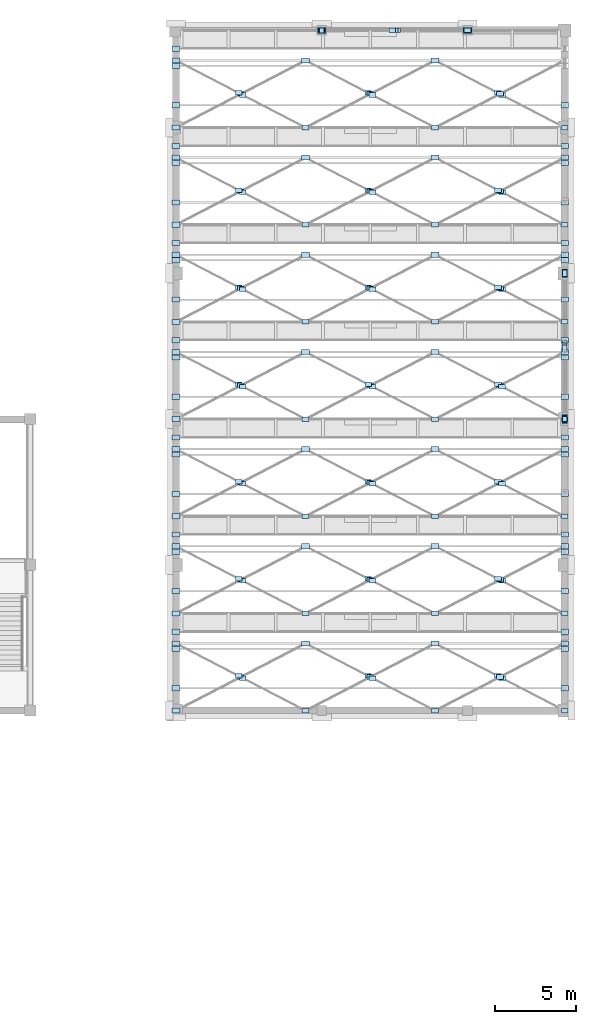
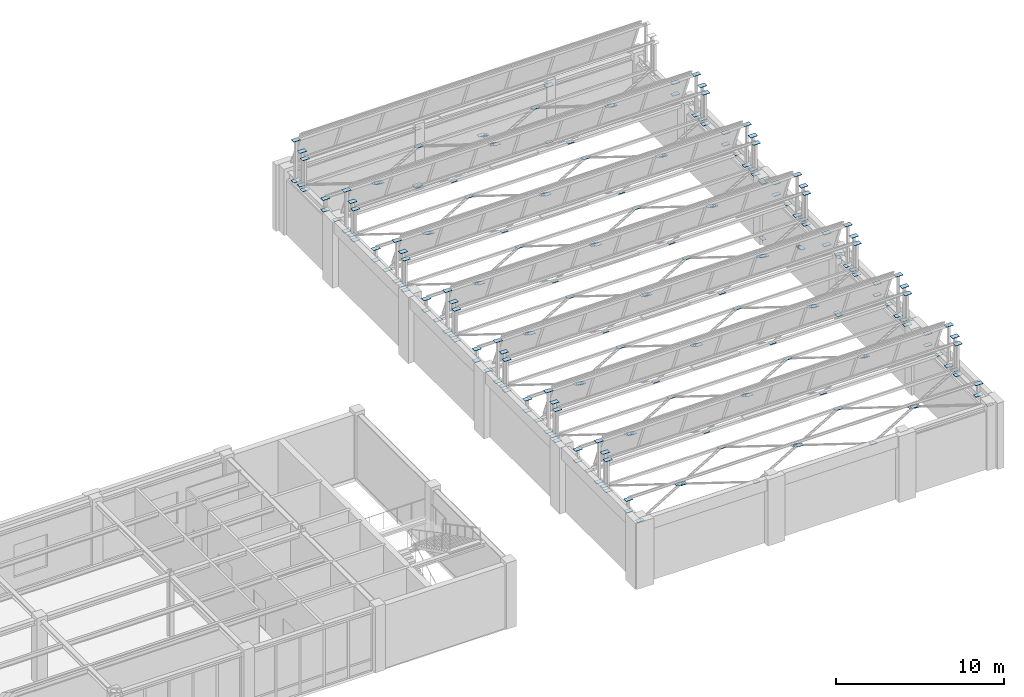
# One storey, part 77 of 98: 227 plates.
"""IFC4 building model written with IfcOpenShell, lengths in metres."""

from ifc_helpers import new_model, si_unit, direction, frame, origin, origin_2d, place, context, subcontext, project, spatial, rectangle, extrude, material, layer, layer_set, type_object, element, save


model = new_model("IFC4")

# Units and contexts
model_context = context("Model", 3, precision=1e-05, world=origin(), true_north=direction((0.0, 1.0)))
body_context = subcontext(model_context, "Body", "Model", "MODEL_VIEW")
ifc_project = project(units=[si_unit("LENGTHUNIT", "METRE"), si_unit("AREAUNIT", "SQUARE_METRE"), si_unit("VOLUMEUNIT", "CUBIC_METRE"), si_unit("PLANEANGLEUNIT", "RADIAN"), si_unit("MASSUNIT", "GRAM", prefix="KILO")], contexts=[model_context])

# Site, building, storey
site_placement = place(None, origin())
site = spatial("IfcSite", under=ifc_project, at=site_placement, CompositionType="ELEMENT")
building_placement = place(site_placement, origin())
building = spatial("IfcBuilding", under=site, at=building_placement, Name="Lykobir Media Centre", CompositionType="ELEMENT")
storey_placement = place(building_placement, frame((0.0, 0.0, 10.199951171875)))
storey = spatial("IfcBuildingStorey", under=building, at=storey_placement, Name="L02", CompositionType="ELEMENT", Elevation=10.199951171875)

# Plates
ifc_material = material(Name="Steel S355", Category="steel")
ifc_layer_1 = layer(ifc_material, 0.01611328125, Name="Steel S355")
ifc_layer_set_1 = layer_set([ifc_layer_1], Name="Steel S355")
plate_type_1 = type_object("IfcPlateType", Name="CP-280", PredefinedType="SHEET", material=ifc_layer_set_1)
for number, where, z_axis, x_axis, name in (
    (1, (168.0, 90.0, 0.001953125), (0.0, 0.0, 1.0), (0.0, 1.0, 0.0), "Structural plate PLT-L02-1680-0900-0102"),
    (2, (153.0, 114.0, 0.001953125), (0.0, 0.0, 1.0), (1.0, 0.0, 0.0), "Structural plate PLT-L02-1530-1140-0102"),
):
    element("IfcPlate", number, at=place(storey_placement, frame(where, z_axis=z_axis, x_axis=x_axis)), inside=storey, type_object=plate_type_1, Name=name, PredefinedType="SHEET", context=body_context, shape_type="SweptSolid", body=[
        extrude(rectangle(XDim=0.300048828125, YDim=0.300048828125, at=origin_2d()), origin(), (0.0, 0.0, 1.0), 0.01611328125),
    ])
ifc_layer_2 = layer(ifc_material, 0.02001953125, Name="Steel S355")
ifc_layer_set_2 = layer_set([ifc_layer_2], Name="Steel S355")
plate_type_2 = type_object("IfcPlateType", Name="GP-420", PredefinedType="USERDEFINED", material=ifc_layer_set_2)
for number, where, z_axis, x_axis, name in (
    (3, (148.0, 74.072509765625, 4.429931640625), (0.0, 0.0, 1.0), (1.0, 0.0, 0.0), "Structural plate PLT-L02-1480-0741-0146"),
    (4, (152.0, 72.0, 4.429931640625), (0.0, 0.0, 1.0), (1.0, 0.0, 0.0), "Structural plate PLT-L02-1520-0720-0146"),
    (5, (148.124267578125, 74.00830078125, 4.429931640625), (0.0, 0.0, 1.0), (1.0, 0.0, 0.0), "Structural plate PLT-L02-1481-0740-0146"),
    (6, (147.875732421875, 74.136962890625, 4.429931640625), (0.0, 0.0, 1.0), (1.0, 0.0, 0.0), "Structural plate PLT-L02-1479-0741-0146"),
    (7, (156.0, 74.072509765625, 4.429931640625), (0.0, 0.0, 1.0), (1.0, 0.0, 0.0), "Structural plate PLT-L02-1560-0741-0146"),
    (8, (160.0, 72.0, 4.429931640625), (0.0, 0.0, 1.0), (1.0, 0.0, 0.0), "Structural plate PLT-L02-1600-0720-0146"),
    (9, (156.124267578125, 74.00830078125, 4.429931640625), (0.0, 0.0, 1.0), (1.0, 0.0, 0.0), "Structural plate PLT-L02-1561-0740-0146"),
    (10, (155.875732421875, 74.136962890625, 4.429931640625), (0.0, 0.0, 1.0), (1.0, 0.0, 0.0), "Structural plate PLT-L02-1559-0741-0146"),
    (11, (164.0, 74.072509765625, 4.429931640625), (0.0, 0.0, 1.0), (1.0, 0.0, 0.0), "Structural plate PLT-L02-1640-0741-0146"),
    (12, (168.0, 72.0, 4.429931640625), (0.0, 0.0, 1.0), (1.0, 0.0, 0.0), "Structural plate PLT-L02-1680-0720-0146"),
    (13, (164.124267578125, 74.00830078125, 4.429931640625), (0.0, 0.0, 1.0), (1.0, 0.0, 0.0), "Structural plate PLT-L02-1641-0740-0146"),
    (14, (163.875732421875, 74.136962890625, 4.429931640625), (0.0, 0.0, 1.0), (1.0, 0.0, 0.0), "Structural plate PLT-L02-1639-0741-0146"),
    (15, (168.0, 78.0, 4.429931640625), (0.0, 0.0, 1.0), (1.0, 0.0, 0.0), "Structural plate PLT-L02-1680-0780-0146"),
    (16, (148.0, 80.072509765625, 4.429931640625), (0.0, 0.0, 1.0), (1.0, 0.0, 0.0), "Structural plate PLT-L02-1480-0801-0146"),
    (17, (152.0, 78.0, 4.429931640625), (0.0, 0.0, 1.0), (1.0, 0.0, 0.0), "Structural plate PLT-L02-1520-0780-0146"),
    (18, (148.124267578125, 80.00830078125, 4.429931640625), (0.0, 0.0, 1.0), (1.0, 0.0, 0.0), "Structural plate PLT-L02-1481-0800-0146"),
    (19, (147.875732421875, 80.136962890625, 4.429931640625), (0.0, 0.0, 1.0), (1.0, 0.0, 0.0), "Structural plate PLT-L02-1479-0801-0146"),
    (20, (156.0, 80.072509765625, 4.429931640625), (0.0, 0.0, 1.0), (1.0, 0.0, 0.0), "Structural plate PLT-L02-1560-0801-0146"),
    (21, (160.0, 78.0, 4.429931640625), (0.0, 0.0, 1.0), (1.0, 0.0, 0.0), "Structural plate PLT-L02-1600-0780-0146"),
    (22, (156.124267578125, 80.00830078125, 4.429931640625), (0.0, 0.0, 1.0), (1.0, 0.0, 0.0), "Structural plate PLT-L02-1561-0800-0146"),
    (23, (155.875732421875, 80.136962890625, 4.429931640625), (0.0, 0.0, 1.0), (1.0, 0.0, 0.0), "Structural plate PLT-L02-1559-0801-0146"),
    (24, (164.0, 80.072509765625, 4.429931640625), (0.0, 0.0, 1.0), (1.0, 0.0, 0.0), "Structural plate PLT-L02-1640-0801-0146"),
    (25, (164.124267578125, 80.00830078125, 4.429931640625), (0.0, 0.0, 1.0), (1.0, 0.0, 0.0), "Structural plate PLT-L02-1641-0800-0146"),
    (26, (163.875732421875, 80.136962890625, 4.429931640625), (0.0, 0.0, 1.0), (1.0, 0.0, 0.0), "Structural plate PLT-L02-1639-0801-0146"),
    (27, (168.0, 84.0, 4.429931640625), (0.0, 0.0, 1.0), (1.0, 0.0, 0.0), "Structural plate PLT-L02-1680-0840-0146"),
    (28, (148.0, 86.072509765625, 4.429931640625), (0.0, 0.0, 1.0), (1.0, 0.0, 0.0), "Structural plate PLT-L02-1480-0861-0146"),
    (29, (152.0, 84.0, 4.429931640625), (0.0, 0.0, 1.0), (1.0, 0.0, 0.0), "Structural plate PLT-L02-1520-0840-0146"),
    (30, (148.124267578125, 86.00830078125, 4.429931640625), (0.0, 0.0, 1.0), (1.0, 0.0, 0.0), "Structural plate PLT-L02-1481-0860-0146"),
    (31, (147.875732421875, 86.136962890625, 4.429931640625), (0.0, 0.0, 1.0), (1.0, 0.0, 0.0), "Structural plate PLT-L02-1479-0861-0146"),
    (32, (156.0, 86.072509765625, 4.429931640625), (0.0, 0.0, 1.0), (1.0, 0.0, 0.0), "Structural plate PLT-L02-1560-0861-0146"),
    (33, (160.0, 84.0, 4.429931640625), (0.0, 0.0, 1.0), (1.0, 0.0, 0.0), "Structural plate PLT-L02-1600-0840-0146"),
    (34, (156.124267578125, 86.00830078125, 4.429931640625), (0.0, 0.0, 1.0), (1.0, 0.0, 0.0), "Structural plate PLT-L02-1561-0860-0146"),
    (35, (155.875732421875, 86.136962890625, 4.429931640625), (0.0, 0.0, 1.0), (1.0, 0.0, 0.0), "Structural plate PLT-L02-1559-0861-0146"),
    (36, (164.0, 86.072509765625, 4.429931640625), (0.0, 0.0, 1.0), (1.0, 0.0, 0.0), "Structural plate PLT-L02-1640-0861-0146"),
    (37, (164.124267578125, 86.00830078125, 4.429931640625), (0.0, 0.0, 1.0), (1.0, 0.0, 0.0), "Structural plate PLT-L02-1641-0860-0146"),
    (38, (163.875732421875, 86.136962890625, 4.429931640625), (0.0, 0.0, 1.0), (1.0, 0.0, 0.0), "Structural plate PLT-L02-1639-0861-0146"),
    (39, (168.0, 90.0, 4.429931640625), (0.0, 0.0, 1.0), (1.0, 0.0, 0.0), "Structural plate PLT-L02-1680-0900-0146"),
    (40, (148.0, 92.072509765625, 4.429931640625), (0.0, 0.0, 1.0), (1.0, 0.0, 0.0), "Structural plate PLT-L02-1480-0921-0146"),
    (41, (152.0, 90.0, 4.429931640625), (0.0, 0.0, 1.0), (1.0, 0.0, 0.0), "Structural plate PLT-L02-1520-0900-0146"),
    (42, (148.124267578125, 92.00830078125, 4.429931640625), (0.0, 0.0, 1.0), (1.0, 0.0, 0.0), "Structural plate PLT-L02-1481-0920-0146"),
    (43, (147.875732421875, 92.136962890625, 4.429931640625), (0.0, 0.0, 1.0), (1.0, 0.0, 0.0), "Structural plate PLT-L02-1479-0921-0146"),
    (44, (156.0, 92.072509765625, 4.429931640625), (0.0, 0.0, 1.0), (1.0, 0.0, 0.0), "Structural plate PLT-L02-1560-0921-0146"),
    (45, (160.0, 90.0, 4.429931640625), (0.0, 0.0, 1.0), (1.0, 0.0, 0.0), "Structural plate PLT-L02-1600-0900-0146"),
    (46, (156.124267578125, 92.00830078125, 4.429931640625), (0.0, 0.0, 1.0), (1.0, 0.0, 0.0), "Structural plate PLT-L02-1561-0920-0146"),
    (47, (155.875732421875, 92.136962890625, 4.429931640625), (0.0, 0.0, 1.0), (1.0, 0.0, 0.0), "Structural plate PLT-L02-1559-0921-0146"),
    (48, (164.0, 92.072509765625, 4.429931640625), (0.0, 0.0, 1.0), (1.0, 0.0, 0.0), "Structural plate PLT-L02-1640-0921-0146"),
    (49, (164.124267578125, 92.00830078125, 4.429931640625), (0.0, 0.0, 1.0), (1.0, 0.0, 0.0), "Structural plate PLT-L02-1641-0920-0146"),
    (50, (163.875732421875, 92.136962890625, 4.429931640625), (0.0, 0.0, 1.0), (1.0, 0.0, 0.0), "Structural plate PLT-L02-1639-0921-0146"),
    (51, (168.0, 96.0, 4.429931640625), (0.0, 0.0, 1.0), (1.0, 0.0, 0.0), "Structural plate PLT-L02-1680-0960-0146"),
    (52, (148.0, 98.072509765625, 4.429931640625), (0.0, 0.0, 1.0), (1.0, 0.0, 0.0), "Structural plate PLT-L02-1480-0981-0146"),
    (53, (152.0, 96.0, 4.429931640625), (0.0, 0.0, 1.0), (1.0, 0.0, 0.0), "Structural plate PLT-L02-1520-0960-0146"),
    (54, (148.124267578125, 98.00830078125, 4.429931640625), (0.0, 0.0, 1.0), (1.0, 0.0, 0.0), "Structural plate PLT-L02-1481-0980-0146"),
    (55, (147.875732421875, 98.136962890625, 4.429931640625), (0.0, 0.0, 1.0), (1.0, 0.0, 0.0), "Structural plate PLT-L02-1479-0981-0146"),
    (56, (156.0, 98.072509765625, 4.429931640625), (0.0, 0.0, 1.0), (1.0, 0.0, 0.0), "Structural plate PLT-L02-1560-0981-0146"),
    (57, (160.0, 96.0, 4.429931640625), (0.0, 0.0, 1.0), (1.0, 0.0, 0.0), "Structural plate PLT-L02-1600-0960-0146"),
    (58, (156.124267578125, 98.00830078125, 4.429931640625), (0.0, 0.0, 1.0), (1.0, 0.0, 0.0), "Structural plate PLT-L02-1561-0980-0146"),
    (59, (155.875732421875, 98.136962890625, 4.429931640625), (0.0, 0.0, 1.0), (1.0, 0.0, 0.0), "Structural plate PLT-L02-1559-0981-0146"),
    (60, (164.0, 98.072509765625, 4.429931640625), (0.0, 0.0, 1.0), (1.0, 0.0, 0.0), "Structural plate PLT-L02-1640-0981-0146"),
    (61, (164.124267578125, 98.00830078125, 4.429931640625), (0.0, 0.0, 1.0), (1.0, 0.0, 0.0), "Structural plate PLT-L02-1641-0980-0146"),
    (62, (163.875732421875, 98.136962890625, 4.429931640625), (0.0, 0.0, 1.0), (1.0, 0.0, 0.0), "Structural plate PLT-L02-1639-0981-0146"),
    (63, (168.0, 102.0, 4.429931640625), (0.0, 0.0, 1.0), (1.0, 0.0, 0.0), "Structural plate PLT-L02-1680-1020-0146"),
    (64, (148.0, 104.072509765625, 4.429931640625), (0.0, 0.0, 1.0), (1.0, 0.0, 0.0), "Structural plate PLT-L02-1480-1041-0146"),
    (65, (152.0, 102.0, 4.429931640625), (0.0, 0.0, 1.0), (1.0, 0.0, 0.0), "Structural plate PLT-L02-1520-1020-0146"),
    (66, (148.124267578125, 104.00830078125, 4.429931640625), (0.0, 0.0, 1.0), (1.0, 0.0, 0.0), "Structural plate PLT-L02-1481-1040-0146"),
    (67, (147.875732421875, 104.136962890625, 4.429931640625), (0.0, 0.0, 1.0), (1.0, 0.0, 0.0), "Structural plate PLT-L02-1479-1041-0146"),
    (68, (156.0, 104.072509765625, 4.429931640625), (0.0, 0.0, 1.0), (1.0, 0.0, 0.0), "Structural plate PLT-L02-1560-1041-0146"),
    (69, (160.0, 102.0, 4.429931640625), (0.0, 0.0, 1.0), (1.0, 0.0, 0.0), "Structural plate PLT-L02-1600-1020-0146"),
    (70, (156.124267578125, 104.00830078125, 4.429931640625), (0.0, 0.0, 1.0), (1.0, 0.0, 0.0), "Structural plate PLT-L02-1561-1040-0146"),
    (71, (155.875732421875, 104.136962890625, 4.429931640625), (0.0, 0.0, 1.0), (1.0, 0.0, 0.0), "Structural plate PLT-L02-1559-1041-0146"),
    (72, (164.0, 104.072509765625, 4.429931640625), (0.0, 0.0, 1.0), (1.0, 0.0, 0.0), "Structural plate PLT-L02-1640-1041-0146"),
    (73, (164.124267578125, 104.00830078125, 4.429931640625), (0.0, 0.0, 1.0), (1.0, 0.0, 0.0), "Structural plate PLT-L02-1641-1040-0146"),
    (74, (163.875732421875, 104.136962890625, 4.429931640625), (0.0, 0.0, 1.0), (1.0, 0.0, 0.0), "Structural plate PLT-L02-1639-1041-0146"),
    (75, (168.0, 108.0, 4.429931640625), (0.0, 0.0, 1.0), (1.0, 0.0, 0.0), "Structural plate PLT-L02-1680-1080-0146"),
    (76, (148.0, 110.072509765625, 4.429931640625), (0.0, 0.0, 1.0), (1.0, 0.0, 0.0), "Structural plate PLT-L02-1480-1101-0146"),
    (77, (152.0, 108.0, 4.429931640625), (0.0, 0.0, 1.0), (1.0, 0.0, 0.0), "Structural plate PLT-L02-1520-1080-0146"),
    (78, (148.124267578125, 110.00830078125, 4.429931640625), (0.0, 0.0, 1.0), (1.0, 0.0, 0.0), "Structural plate PLT-L02-1481-1100-0146"),
    (79, (147.875732421875, 110.136962890625, 4.429931640625), (0.0, 0.0, 1.0), (1.0, 0.0, 0.0), "Structural plate PLT-L02-1479-1101-0146"),
    (80, (156.0, 110.072509765625, 4.429931640625), (0.0, 0.0, 1.0), (1.0, 0.0, 0.0), "Structural plate PLT-L02-1560-1101-0146"),
    (81, (160.0, 108.0, 4.429931640625), (0.0, 0.0, 1.0), (1.0, 0.0, 0.0), "Structural plate PLT-L02-1600-1080-0146"),
    (82, (156.124267578125, 110.00830078125, 4.429931640625), (0.0, 0.0, 1.0), (1.0, 0.0, 0.0), "Structural plate PLT-L02-1561-1100-0146"),
    (83, (155.875732421875, 110.136962890625, 4.429931640625), (0.0, 0.0, 1.0), (1.0, 0.0, 0.0), "Structural plate PLT-L02-1559-1101-0146"),
    (84, (164.0, 110.072509765625, 4.429931640625), (0.0, 0.0, 1.0), (1.0, 0.0, 0.0), "Structural plate PLT-L02-1640-1101-0146"),
    (85, (164.124267578125, 110.00830078125, 4.429931640625), (0.0, 0.0, 1.0), (1.0, 0.0, 0.0), "Structural plate PLT-L02-1641-1100-0146"),
    (86, (163.875732421875, 110.136962890625, 4.429931640625), (0.0, 0.0, 1.0), (1.0, 0.0, 0.0), "Structural plate PLT-L02-1639-1101-0146"),
    (87, (168.0, 94.5, 2.169921875), (0.0, 0.0, 1.0), (0.0, 1.0, 0.0), "Structural plate PLT-L02-1680-0945-0124"),
    (88, (168.0, 99.0, 0.110107421875), (0.0, 0.0, 1.0), (0.0, 1.0, 0.0), "Structural plate PLT-L02-1680-0990-0103"),
    (89, (168.0, 94.6455078125, 2.103515625), (0.0, 0.0, 1.0), (0.0, 1.0, 0.0), "Structural plate PLT-L02-1680-0946-0123"),
    (90, (168.0, 94.3544921875, 2.236572265625), (0.0, 0.0, 1.0), (0.0, 1.0, 0.0), "Structural plate PLT-L02-1680-0944-0124"),
    (91, (168.0, 90.0, 4.22998046875), (0.0, 0.0, 1.0), (0.0, 1.0, 0.0), "Structural plate PLT-L02-1680-0900-0144"),
    (92, (157.5, 114.0, 2.169921875), (0.0, 0.0, 1.0), (1.0, 0.0, 0.0), "Structural plate PLT-L02-1575-1140-0124"),
    (93, (162.0, 114.0, 0.110107421875), (0.0, 0.0, 1.0), (1.0, 0.0, 0.0), "Structural plate PLT-L02-1620-1140-0103"),
    (94, (157.6455078125, 114.0, 2.103515625), (0.0, 0.0, 1.0), (1.0, 0.0, 0.0), "Structural plate PLT-L02-1576-1140-0123"),
    (95, (157.3544921875, 114.0, 2.236572265625), (0.0, 0.0, 1.0), (1.0, 0.0, 0.0), "Structural plate PLT-L02-1574-1140-0124"),
    (96, (153.0, 114.0, 4.22998046875), (0.0, 0.0, 1.0), (1.0, 0.0, 0.0), "Structural plate PLT-L02-1530-1140-0144"),
):
    element("IfcPlate", number, at=place(storey_placement, frame(where, z_axis=z_axis, x_axis=x_axis)), inside=storey, type_object=plate_type_2, Name=name, ObjectType="GUSSET_PLATE", PredefinedType="USERDEFINED", context=body_context, shape_type="SweptSolid", body=[
        extrude(rectangle(XDim=0.419921875, YDim=0.280029296875, at=origin_2d()), origin(), (0.0, 0.0, 1.0), 0.02001953125),
    ])
ifc_layer_3 = layer(ifc_material, 0.02392578125, Name="Steel S355")
ifc_layer_set_3 = layer_set([ifc_layer_3], Name="Steel S355")
plate_type_3 = type_object("IfcPlateType", Name="GP-480", PredefinedType="USERDEFINED", material=ifc_layer_set_3)
for number, where, z_axis, x_axis, name in (
    (97, (144.0, 76.864990234375, 4.2880859375), (0.0, 0.0, 1.0), (1.0, 0.0, 0.0), "Structural plate PLT-L02-1440-0769-0145"),
    (98, (144.0, 76.864990234375, 7.2470703125), (0.0, 0.0, 1.0), (1.0, 0.0, 0.0), "Structural plate PLT-L02-1440-0769-0175"),
    (99, (168.0, 76.864990234375, 4.2880859375), (0.0, 0.0, 1.0), (1.0, 0.0, 0.0), "Structural plate PLT-L02-1680-0769-0145"),
    (100, (168.0, 76.864990234375, 7.2470703125), (0.0, 0.0, 1.0), (1.0, 0.0, 0.0), "Structural plate PLT-L02-1680-0769-0175"),
    (101, (144.0, 76.14501953125, 4.427978515625), (0.0, 0.0, 1.0), (1.0, 0.0, 0.0), "Structural plate PLT-L02-1440-0761-0146"),
    (102, (144.0, 76.14501953125, 6.861328125), (0.0, 0.0, 1.0), (1.0, 0.0, 0.0), "Structural plate PLT-L02-1440-0761-0171"),
    (103, (168.0, 76.14501953125, 4.427978515625), (0.0, 0.0, 1.0), (1.0, 0.0, 0.0), "Structural plate PLT-L02-1680-0761-0146"),
    (104, (168.0, 76.14501953125, 6.861328125), (0.0, 0.0, 1.0), (1.0, 0.0, 0.0), "Structural plate PLT-L02-1680-0761-0171"),
    (105, (144.0, 72.0, 4.427978515625), (0.0, 0.0, 1.0), (1.0, 0.0, 0.0), "Structural plate PLT-L02-1440-0720-0146"),
    (106, (152.0, 76.14501953125, 4.427978515625), (0.0, 0.0, 1.0), (1.0, 0.0, 0.0), "Structural plate PLT-L02-1520-0761-0146"),
    (107, (160.0, 76.14501953125, 4.427978515625), (0.0, 0.0, 1.0), (1.0, 0.0, 0.0), "Structural plate PLT-L02-1600-0761-0146"),
    (108, (144.0, 73.373291015625, 4.2880859375), (0.0, 0.0, 1.0), (1.0, 0.0, 0.0), "Structural plate PLT-L02-1440-0734-0145"),
    (109, (144.0, 73.373291015625, 5.12841796875), (0.0, 0.0, 1.0), (1.0, 0.0, 0.0), "Structural plate PLT-L02-1440-0734-0153"),
    (110, (168.0, 73.373291015625, 4.2880859375), (0.0, 0.0, 1.0), (1.0, 0.0, 0.0), "Structural plate PLT-L02-1680-0734-0145"),
    (111, (168.0, 73.373291015625, 5.12841796875), (0.0, 0.0, 1.0), (1.0, 0.0, 0.0), "Structural plate PLT-L02-1680-0734-0153"),
    (112, (144.0, 75.805908203125, 4.2880859375), (0.0, 0.0, 1.0), (1.0, 0.0, 0.0), "Structural plate PLT-L02-1440-0758-0145"),
    (113, (144.0, 75.805908203125, 6.53271484375), (0.0, 0.0, 1.0), (1.0, 0.0, 0.0), "Structural plate PLT-L02-1440-0758-0167"),
    (114, (168.0, 75.805908203125, 4.2880859375), (0.0, 0.0, 1.0), (1.0, 0.0, 0.0), "Structural plate PLT-L02-1680-0758-0145"),
    (115, (168.0, 75.805908203125, 6.53271484375), (0.0, 0.0, 1.0), (1.0, 0.0, 0.0), "Structural plate PLT-L02-1680-0758-0167"),
    (116, (144.0, 78.0, 4.427978515625), (0.0, 0.0, 1.0), (1.0, 0.0, 0.0), "Structural plate PLT-L02-1440-0780-0146"),
    (117, (144.0, 82.864990234375, 4.2880859375), (0.0, 0.0, 1.0), (1.0, 0.0, 0.0), "Structural plate PLT-L02-1440-0829-0145"),
    (118, (144.0, 82.864990234375, 7.2470703125), (0.0, 0.0, 1.0), (1.0, 0.0, 0.0), "Structural plate PLT-L02-1440-0829-0175"),
    (119, (168.0, 82.864990234375, 4.2880859375), (0.0, 0.0, 1.0), (1.0, 0.0, 0.0), "Structural plate PLT-L02-1680-0829-0145"),
    (120, (168.0, 82.864990234375, 7.2470703125), (0.0, 0.0, 1.0), (1.0, 0.0, 0.0), "Structural plate PLT-L02-1680-0829-0175"),
    (121, (144.0, 82.14501953125, 4.427978515625), (0.0, 0.0, 1.0), (1.0, 0.0, 0.0), "Structural plate PLT-L02-1440-0821-0146"),
    (122, (144.0, 82.14501953125, 6.861328125), (0.0, 0.0, 1.0), (1.0, 0.0, 0.0), "Structural plate PLT-L02-1440-0821-0171"),
    (123, (168.0, 82.14501953125, 4.427978515625), (0.0, 0.0, 1.0), (1.0, 0.0, 0.0), "Structural plate PLT-L02-1680-0821-0146"),
    (124, (168.0, 82.14501953125, 6.861328125), (0.0, 0.0, 1.0), (1.0, 0.0, 0.0), "Structural plate PLT-L02-1680-0821-0171"),
    (125, (152.0, 82.14501953125, 4.427978515625), (0.0, 0.0, 1.0), (1.0, 0.0, 0.0), "Structural plate PLT-L02-1520-0821-0146"),
    (126, (160.0, 82.14501953125, 4.427978515625), (0.0, 0.0, 1.0), (1.0, 0.0, 0.0), "Structural plate PLT-L02-1600-0821-0146"),
    (127, (144.0, 79.373291015625, 4.2880859375), (0.0, 0.0, 1.0), (1.0, 0.0, 0.0), "Structural plate PLT-L02-1440-0794-0145"),
    (128, (144.0, 79.373291015625, 5.12841796875), (0.0, 0.0, 1.0), (1.0, 0.0, 0.0), "Structural plate PLT-L02-1440-0794-0153"),
    (129, (168.0, 79.373291015625, 4.2880859375), (0.0, 0.0, 1.0), (1.0, 0.0, 0.0), "Structural plate PLT-L02-1680-0794-0145"),
    (130, (168.0, 79.373291015625, 5.12841796875), (0.0, 0.0, 1.0), (1.0, 0.0, 0.0), "Structural plate PLT-L02-1680-0794-0153"),
    (131, (144.0, 81.805908203125, 4.2880859375), (0.0, 0.0, 1.0), (1.0, 0.0, 0.0), "Structural plate PLT-L02-1440-0818-0145"),
    (132, (144.0, 81.805908203125, 6.53271484375), (0.0, 0.0, 1.0), (1.0, 0.0, 0.0), "Structural plate PLT-L02-1440-0818-0167"),
    (133, (168.0, 81.805908203125, 4.2880859375), (0.0, 0.0, 1.0), (1.0, 0.0, 0.0), "Structural plate PLT-L02-1680-0818-0145"),
    (134, (168.0, 81.805908203125, 6.53271484375), (0.0, 0.0, 1.0), (1.0, 0.0, 0.0), "Structural plate PLT-L02-1680-0818-0167"),
    (135, (144.0, 84.0, 4.427978515625), (0.0, 0.0, 1.0), (1.0, 0.0, 0.0), "Structural plate PLT-L02-1440-0840-0146"),
    (136, (144.0, 88.864990234375, 4.2880859375), (0.0, 0.0, 1.0), (1.0, 0.0, 0.0), "Structural plate PLT-L02-1440-0889-0145"),
    (137, (144.0, 88.864990234375, 7.2470703125), (0.0, 0.0, 1.0), (1.0, 0.0, 0.0), "Structural plate PLT-L02-1440-0889-0175"),
    (138, (168.0, 88.864990234375, 4.2880859375), (0.0, 0.0, 1.0), (1.0, 0.0, 0.0), "Structural plate PLT-L02-1680-0889-0145"),
    (139, (168.0, 88.864990234375, 7.2470703125), (0.0, 0.0, 1.0), (1.0, 0.0, 0.0), "Structural plate PLT-L02-1680-0889-0175"),
    (140, (144.0, 88.14501953125, 4.427978515625), (0.0, 0.0, 1.0), (1.0, 0.0, 0.0), "Structural plate PLT-L02-1440-0881-0146"),
    (141, (144.0, 88.14501953125, 6.861328125), (0.0, 0.0, 1.0), (1.0, 0.0, 0.0), "Structural plate PLT-L02-1440-0881-0171"),
    (142, (168.0, 88.14501953125, 4.427978515625), (0.0, 0.0, 1.0), (1.0, 0.0, 0.0), "Structural plate PLT-L02-1680-0881-0146"),
    (143, (168.0, 88.14501953125, 6.861328125), (0.0, 0.0, 1.0), (1.0, 0.0, 0.0), "Structural plate PLT-L02-1680-0881-0171"),
    (144, (152.0, 88.14501953125, 4.427978515625), (0.0, 0.0, 1.0), (1.0, 0.0, 0.0), "Structural plate PLT-L02-1520-0881-0146"),
    (145, (160.0, 88.14501953125, 4.427978515625), (0.0, 0.0, 1.0), (1.0, 0.0, 0.0), "Structural plate PLT-L02-1600-0881-0146"),
    (146, (144.0, 85.373291015625, 4.2880859375), (0.0, 0.0, 1.0), (1.0, 0.0, 0.0), "Structural plate PLT-L02-1440-0854-0145"),
    (147, (144.0, 85.373291015625, 5.12841796875), (0.0, 0.0, 1.0), (1.0, 0.0, 0.0), "Structural plate PLT-L02-1440-0854-0153"),
    (148, (168.0, 85.373291015625, 4.2880859375), (0.0, 0.0, 1.0), (1.0, 0.0, 0.0), "Structural plate PLT-L02-1680-0854-0145"),
    (149, (168.0, 85.373291015625, 5.12841796875), (0.0, 0.0, 1.0), (1.0, 0.0, 0.0), "Structural plate PLT-L02-1680-0854-0153"),
    (150, (144.0, 87.805908203125, 4.2880859375), (0.0, 0.0, 1.0), (1.0, 0.0, 0.0), "Structural plate PLT-L02-1440-0878-0145"),
    (151, (144.0, 87.805908203125, 6.53271484375), (0.0, 0.0, 1.0), (1.0, 0.0, 0.0), "Structural plate PLT-L02-1440-0878-0167"),
    (152, (168.0, 87.805908203125, 4.2880859375), (0.0, 0.0, 1.0), (1.0, 0.0, 0.0), "Structural plate PLT-L02-1680-0878-0145"),
    (153, (168.0, 87.805908203125, 6.53271484375), (0.0, 0.0, 1.0), (1.0, 0.0, 0.0), "Structural plate PLT-L02-1680-0878-0167"),
    (154, (144.0, 90.0, 4.427978515625), (0.0, 0.0, 1.0), (1.0, 0.0, 0.0), "Structural plate PLT-L02-1440-0900-0146"),
    (155, (144.0, 94.864990234375, 4.2880859375), (0.0, 0.0, 1.0), (1.0, 0.0, 0.0), "Structural plate PLT-L02-1440-0949-0145"),
    (156, (144.0, 94.864990234375, 7.2470703125), (0.0, 0.0, 1.0), (1.0, 0.0, 0.0), "Structural plate PLT-L02-1440-0949-0175"),
    (157, (168.0, 94.864990234375, 4.2880859375), (0.0, 0.0, 1.0), (1.0, 0.0, 0.0), "Structural plate PLT-L02-1680-0949-0145"),
    (158, (168.0, 94.864990234375, 7.2470703125), (0.0, 0.0, 1.0), (1.0, 0.0, 0.0), "Structural plate PLT-L02-1680-0949-0175"),
    (159, (144.0, 94.14501953125, 4.427978515625), (0.0, 0.0, 1.0), (1.0, 0.0, 0.0), "Structural plate PLT-L02-1440-0941-0146"),
    (160, (144.0, 94.14501953125, 6.861328125), (0.0, 0.0, 1.0), (1.0, 0.0, 0.0), "Structural plate PLT-L02-1440-0941-0171"),
    (161, (168.0, 94.14501953125, 4.427978515625), (0.0, 0.0, 1.0), (1.0, 0.0, 0.0), "Structural plate PLT-L02-1680-0941-0146"),
    (162, (168.0, 94.14501953125, 6.861328125), (0.0, 0.0, 1.0), (1.0, 0.0, 0.0), "Structural plate PLT-L02-1680-0941-0171"),
    (163, (152.0, 94.14501953125, 4.427978515625), (0.0, 0.0, 1.0), (1.0, 0.0, 0.0), "Structural plate PLT-L02-1520-0941-0146"),
    (164, (160.0, 94.14501953125, 4.427978515625), (0.0, 0.0, 1.0), (1.0, 0.0, 0.0), "Structural plate PLT-L02-1600-0941-0146"),
    (165, (144.0, 91.373291015625, 4.2880859375), (0.0, 0.0, 1.0), (1.0, 0.0, 0.0), "Structural plate PLT-L02-1440-0914-0145"),
    (166, (144.0, 91.373291015625, 5.12841796875), (0.0, 0.0, 1.0), (1.0, 0.0, 0.0), "Structural plate PLT-L02-1440-0914-0153"),
    (167, (168.0, 91.373291015625, 4.2880859375), (0.0, 0.0, 1.0), (1.0, 0.0, 0.0), "Structural plate PLT-L02-1680-0914-0145"),
    (168, (168.0, 91.373291015625, 5.12841796875), (0.0, 0.0, 1.0), (1.0, 0.0, 0.0), "Structural plate PLT-L02-1680-0914-0153"),
    (169, (144.0, 93.805908203125, 4.2880859375), (0.0, 0.0, 1.0), (1.0, 0.0, 0.0), "Structural plate PLT-L02-1440-0938-0145"),
    (170, (144.0, 93.805908203125, 6.53271484375), (0.0, 0.0, 1.0), (1.0, 0.0, 0.0), "Structural plate PLT-L02-1440-0938-0167"),
    (171, (168.0, 93.805908203125, 4.2880859375), (0.0, 0.0, 1.0), (1.0, 0.0, 0.0), "Structural plate PLT-L02-1680-0938-0145"),
    (172, (168.0, 93.805908203125, 6.53271484375), (0.0, 0.0, 1.0), (1.0, 0.0, 0.0), "Structural plate PLT-L02-1680-0938-0167"),
    (173, (144.0, 96.0, 4.427978515625), (0.0, 0.0, 1.0), (1.0, 0.0, 0.0), "Structural plate PLT-L02-1440-0960-0146"),
    (174, (144.0, 100.864990234375, 4.2880859375), (0.0, 0.0, 1.0), (1.0, 0.0, 0.0), "Structural plate PLT-L02-1440-1009-0145"),
    (175, (144.0, 100.864990234375, 7.2470703125), (0.0, 0.0, 1.0), (1.0, 0.0, 0.0), "Structural plate PLT-L02-1440-1009-0175"),
    (176, (168.0, 100.864990234375, 4.2880859375), (0.0, 0.0, 1.0), (1.0, 0.0, 0.0), "Structural plate PLT-L02-1680-1009-0145"),
    (177, (168.0, 100.864990234375, 7.2470703125), (0.0, 0.0, 1.0), (1.0, 0.0, 0.0), "Structural plate PLT-L02-1680-1009-0175"),
    (178, (144.0, 100.14501953125, 4.427978515625), (0.0, 0.0, 1.0), (1.0, 0.0, 0.0), "Structural plate PLT-L02-1440-1001-0146"),
    (179, (144.0, 100.14501953125, 6.861328125), (0.0, 0.0, 1.0), (1.0, 0.0, 0.0), "Structural plate PLT-L02-1440-1001-0171"),
    (180, (168.0, 100.14501953125, 4.427978515625), (0.0, 0.0, 1.0), (1.0, 0.0, 0.0), "Structural plate PLT-L02-1680-1001-0146"),
    (181, (168.0, 100.14501953125, 6.861328125), (0.0, 0.0, 1.0), (1.0, 0.0, 0.0), "Structural plate PLT-L02-1680-1001-0171"),
    (182, (152.0, 100.14501953125, 4.427978515625), (0.0, 0.0, 1.0), (1.0, 0.0, 0.0), "Structural plate PLT-L02-1520-1001-0146"),
    (183, (160.0, 100.14501953125, 4.427978515625), (0.0, 0.0, 1.0), (1.0, 0.0, 0.0), "Structural plate PLT-L02-1600-1001-0146"),
    (184, (144.0, 97.373291015625, 4.2880859375), (0.0, 0.0, 1.0), (1.0, 0.0, 0.0), "Structural plate PLT-L02-1440-0974-0145"),
    (185, (144.0, 97.373291015625, 5.12841796875), (0.0, 0.0, 1.0), (1.0, 0.0, 0.0), "Structural plate PLT-L02-1440-0974-0153"),
    (186, (168.0, 97.373291015625, 4.2880859375), (0.0, 0.0, 1.0), (1.0, 0.0, 0.0), "Structural plate PLT-L02-1680-0974-0145"),
    (187, (168.0, 97.373291015625, 5.12841796875), (0.0, 0.0, 1.0), (1.0, 0.0, 0.0), "Structural plate PLT-L02-1680-0974-0153"),
    (188, (144.0, 99.805908203125, 4.2880859375), (0.0, 0.0, 1.0), (1.0, 0.0, 0.0), "Structural plate PLT-L02-1440-0998-0145"),
    (189, (144.0, 99.805908203125, 6.53271484375), (0.0, 0.0, 1.0), (1.0, 0.0, 0.0), "Structural plate PLT-L02-1440-0998-0167"),
    (190, (168.0, 99.805908203125, 4.2880859375), (0.0, 0.0, 1.0), (1.0, 0.0, 0.0), "Structural plate PLT-L02-1680-0998-0145"),
    (191, (168.0, 99.805908203125, 6.53271484375), (0.0, 0.0, 1.0), (1.0, 0.0, 0.0), "Structural plate PLT-L02-1680-0998-0167"),
    (192, (144.0, 102.0, 4.427978515625), (0.0, 0.0, 1.0), (1.0, 0.0, 0.0), "Structural plate PLT-L02-1440-1020-0146"),
    (193, (144.0, 106.864990234375, 4.2880859375), (0.0, 0.0, 1.0), (1.0, 0.0, 0.0), "Structural plate PLT-L02-1440-1069-0145"),
    (194, (144.0, 106.864990234375, 7.2470703125), (0.0, 0.0, 1.0), (1.0, 0.0, 0.0), "Structural plate PLT-L02-1440-1069-0175"),
    (195, (168.0, 106.864990234375, 4.2880859375), (0.0, 0.0, 1.0), (1.0, 0.0, 0.0), "Structural plate PLT-L02-1680-1069-0145"),
    (196, (168.0, 106.864990234375, 7.2470703125), (0.0, 0.0, 1.0), (1.0, 0.0, 0.0), "Structural plate PLT-L02-1680-1069-0175"),
    (197, (144.0, 106.14501953125, 4.427978515625), (0.0, 0.0, 1.0), (1.0, 0.0, 0.0), "Structural plate PLT-L02-1440-1061-0146"),
    (198, (144.0, 106.14501953125, 6.861328125), (0.0, 0.0, 1.0), (1.0, 0.0, 0.0), "Structural plate PLT-L02-1440-1061-0171"),
    (199, (168.0, 106.14501953125, 4.427978515625), (0.0, 0.0, 1.0), (1.0, 0.0, 0.0), "Structural plate PLT-L02-1680-1061-0146"),
    (200, (168.0, 106.14501953125, 6.861328125), (0.0, 0.0, 1.0), (1.0, 0.0, 0.0), "Structural plate PLT-L02-1680-1061-0171"),
    (201, (152.0, 106.14501953125, 4.427978515625), (0.0, 0.0, 1.0), (1.0, 0.0, 0.0), "Structural plate PLT-L02-1520-1061-0146"),
    (202, (160.0, 106.14501953125, 4.427978515625), (0.0, 0.0, 1.0), (1.0, 0.0, 0.0), "Structural plate PLT-L02-1600-1061-0146"),
    (203, (144.0, 103.373291015625, 4.2880859375), (0.0, 0.0, 1.0), (1.0, 0.0, 0.0), "Structural plate PLT-L02-1440-1034-0145"),
    (204, (144.0, 103.373291015625, 5.12841796875), (0.0, 0.0, 1.0), (1.0, 0.0, 0.0), "Structural plate PLT-L02-1440-1034-0153"),
    (205, (168.0, 103.373291015625, 4.2880859375), (0.0, 0.0, 1.0), (1.0, 0.0, 0.0), "Structural plate PLT-L02-1680-1034-0145"),
    (206, (168.0, 103.373291015625, 5.12841796875), (0.0, 0.0, 1.0), (1.0, 0.0, 0.0), "Structural plate PLT-L02-1680-1034-0153"),
    (207, (144.0, 105.805908203125, 4.2880859375), (0.0, 0.0, 1.0), (1.0, 0.0, 0.0), "Structural plate PLT-L02-1440-1058-0145"),
    (208, (144.0, 105.805908203125, 6.53271484375), (0.0, 0.0, 1.0), (1.0, 0.0, 0.0), "Structural plate PLT-L02-1440-1058-0167"),
    (209, (168.0, 105.805908203125, 4.2880859375), (0.0, 0.0, 1.0), (1.0, 0.0, 0.0), "Structural plate PLT-L02-1680-1058-0145"),
    (210, (168.0, 105.805908203125, 6.53271484375), (0.0, 0.0, 1.0), (1.0, 0.0, 0.0), "Structural plate PLT-L02-1680-1058-0167"),
    (211, (144.0, 108.0, 4.427978515625), (0.0, 0.0, 1.0), (1.0, 0.0, 0.0), "Structural plate PLT-L02-1440-1080-0146"),
    (212, (144.0, 112.864990234375, 4.2880859375), (0.0, 0.0, 1.0), (1.0, 0.0, 0.0), "Structural plate PLT-L02-1440-1129-0145"),
    (213, (144.0, 112.864990234375, 7.2470703125), (0.0, 0.0, 1.0), (1.0, 0.0, 0.0), "Structural plate PLT-L02-1440-1129-0175"),
    (214, (144.0, 112.14501953125, 4.427978515625), (0.0, 0.0, 1.0), (1.0, 0.0, 0.0), "Structural plate PLT-L02-1440-1121-0146"),
    (215, (144.0, 112.14501953125, 6.861328125), (0.0, 0.0, 1.0), (1.0, 0.0, 0.0), "Structural plate PLT-L02-1440-1121-0171"),
    (216, (152.0, 112.14501953125, 4.427978515625), (0.0, 0.0, 1.0), (1.0, 0.0, 0.0), "Structural plate PLT-L02-1520-1121-0146"),
    (217, (160.0, 112.14501953125, 4.427978515625), (0.0, 0.0, 1.0), (1.0, 0.0, 0.0), "Structural plate PLT-L02-1600-1121-0146"),
    (218, (144.0, 109.373291015625, 4.2880859375), (0.0, 0.0, 1.0), (1.0, 0.0, 0.0), "Structural plate PLT-L02-1440-1094-0145"),
    (219, (144.0, 109.373291015625, 5.12841796875), (0.0, 0.0, 1.0), (1.0, 0.0, 0.0), "Structural plate PLT-L02-1440-1094-0153"),
    (220, (168.0, 109.373291015625, 4.2880859375), (0.0, 0.0, 1.0), (1.0, 0.0, 0.0), "Structural plate PLT-L02-1680-1094-0145"),
    (221, (168.0, 109.373291015625, 5.12841796875), (0.0, 0.0, 1.0), (1.0, 0.0, 0.0), "Structural plate PLT-L02-1680-1094-0153"),
    (222, (144.0, 111.805908203125, 4.2880859375), (0.0, 0.0, 1.0), (1.0, 0.0, 0.0), "Structural plate PLT-L02-1440-1118-0145"),
    (223, (144.0, 111.805908203125, 6.53271484375), (0.0, 0.0, 1.0), (1.0, 0.0, 0.0), "Structural plate PLT-L02-1440-1118-0167"),
):
    element("IfcPlate", number, at=place(storey_placement, frame(where, z_axis=z_axis, x_axis=x_axis)), inside=storey, type_object=plate_type_3, Name=name, ObjectType="GUSSET_PLATE", PredefinedType="USERDEFINED", context=body_context, shape_type="SweptSolid", body=[
        extrude(rectangle(XDim=0.47998046875, YDim=0.320068359375, at=origin_2d()), origin(), (0.0, 0.0, 1.0), 0.02392578125),
    ])
ifc_layer_4 = layer(ifc_material, 0.028076171875, Name="Steel S355")
ifc_layer_set_4 = layer_set([ifc_layer_4], Name="Steel S355")
plate_type_4 = type_object("IfcPlateType", Name="GP-540", PredefinedType="USERDEFINED", material=ifc_layer_set_4)
for number, where, z_axis, x_axis, name in (
    (224, (168.0, 90.0, 0.10595703125), (0.0, 0.0, 1.0), (0.0, 1.0, 0.0), "Structural plate PLT-L02-1680-0900-0103"),
    (225, (168.0, 99.0, 4.22607421875), (0.0, 0.0, 1.0), (0.0, 1.0, 0.0), "Structural plate PLT-L02-1680-0990-0144"),
    (226, (153.0, 114.0, 0.10595703125), (0.0, 0.0, 1.0), (1.0, 0.0, 0.0), "Structural plate PLT-L02-1530-1140-0103"),
    (227, (162.0, 114.0, 4.22607421875), (0.0, 0.0, 1.0), (1.0, 0.0, 0.0), "Structural plate PLT-L02-1620-1140-0144"),
):
    element("IfcPlate", number, at=place(storey_placement, frame(where, z_axis=z_axis, x_axis=x_axis)), inside=storey, type_object=plate_type_4, Name=name, ObjectType="GUSSET_PLATE", PredefinedType="USERDEFINED", context=body_context, shape_type="SweptSolid", body=[
        extrude(rectangle(XDim=0.5400390625, YDim=0.360107421875, at=origin_2d()), origin(), (0.0, 0.0, 1.0), 0.028076171875),
    ])

save(model, "model.ifc")
